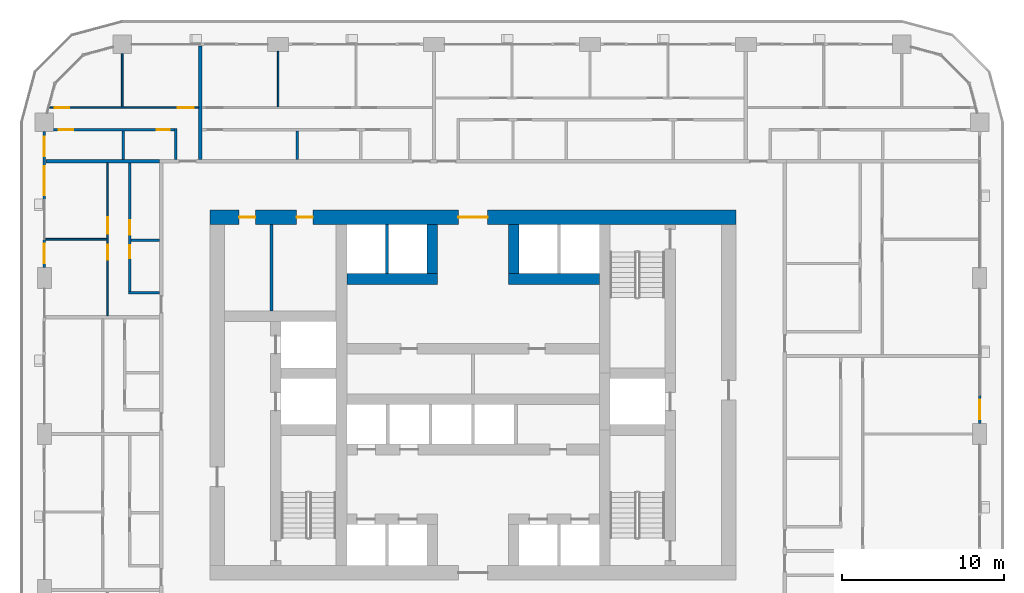
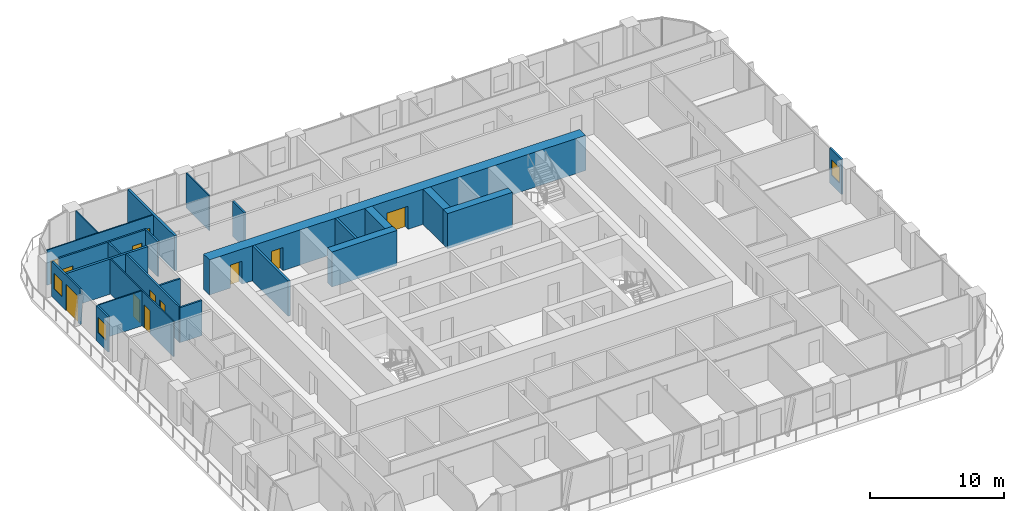
# One storey, part 13 of 22: 24 walls, 12 doors, 3 windows, 15 openings.
"""IFC4 building model written with IfcOpenShell, lengths in metres."""

import ifcopenshell
import ifcopenshell.guid

model = None  # the IFC model being written
_history = None  # IfcOwnerHistory: only IFC2X3 demands one
_inside = {}  # id of a spatial element -> (the spatial element, [elements in it])
_under = {}  # id of a project, library or spatial element -> (it, [spatial elements below it])
_declared = {}  # id of a project -> (the project, [libraries it declares])
_typed = {}  # id of a type object -> (the type object, [elements of that type])
_made_of = {}  # id of a material, layer set ... -> (it, [elements and type objects made of it])


def new_model(schema):
    """Start an empty IFC model of exactly this schema.

    Asked for "IFC4X3", IfcOpenShell would pick the latest addendum, in which some entities
    have other attributes; the version numbers below select the first issue.
    IFC2X3 requires an IfcOwnerHistory on every rooted entity: one is made here for all.
    """
    global model, _history
    if schema == "IFC4X3":
        model = ifcopenshell.file(schema_version=(4, 3, 0, 0))
    else:
        model = ifcopenshell.file(schema=schema)
    _inside.clear()
    _under.clear()
    _declared.clear()
    _typed.clear()
    _made_of.clear()
    _history = None
    if model.schema == "IFC2X3":
        org = make("IfcOrganization", Name="unknown")
        user = make(
            "IfcPersonAndOrganization",
            ThePerson=make("IfcPerson", FamilyName="unknown"),
            TheOrganization=org,
        )
        app = make(
            "IfcApplication",
            ApplicationDeveloper=org,
            Version="unknown",
            ApplicationFullName="unknown",
            ApplicationIdentifier="unknown",
        )
        _history = make(
            "IfcOwnerHistory",
            OwningUser=user,
            OwningApplication=app,
            ChangeAction="ADDED",
            CreationDate=0,
        )
    return model


def make(cls, **values):
    """One entity of the class cls with the attributes given. An attribute that is None is left unset."""
    return model.create_entity(
        cls, **{name: value for name, value in values.items() if value is not None}
    )


def rooted(cls, **values):
    """An entity with a GlobalId (a new one), such as an element, a storey or a relation."""
    return make(cls, GlobalId=ifcopenshell.guid.new(), OwnerHistory=_history, **values)


def si_unit(unit_type, name, prefix=None):
    """IfcSIUnit, for example si_unit("LENGTHUNIT", "METRE", prefix="MILLI")."""
    return make("IfcSIUnit", UnitType=unit_type, Prefix=prefix, Name=name)


def assignment(units):
    """IfcUnitAssignment: the units of a project."""
    return None if units is None else make("IfcUnitAssignment", Units=units)


def point(xyz):
    """IfcCartesianPoint."""
    return None if xyz is None else make("IfcCartesianPoint", Coordinates=xyz)


def direction(xyz):
    """IfcDirection."""
    return None if xyz is None else make("IfcDirection", DirectionRatios=xyz)


def frame(location, z_axis=None, x_axis=None):
    """IfcAxis2Placement3D, a coordinate frame: its origin and axes. An axis left out is left unset."""
    return make(
        "IfcAxis2Placement3D",
        Location=point(location),
        Axis=direction(z_axis),
        RefDirection=direction(x_axis),
    )


def frame_2d(location, x_axis=None):
    """IfcAxis2Placement2D, a coordinate frame in the plane: its origin and x axis."""
    return make(
        "IfcAxis2Placement2D", Location=point(location), RefDirection=direction(x_axis)
    )


def origin():
    """The frame at (0, 0, 0) with its axes left unset."""
    return frame((0.0, 0.0, 0.0))


def place(relative_to, where):
    """IfcLocalPlacement: puts the frame where relative to a parent placement (None: the world)."""
    return make(
        "IfcLocalPlacement", PlacementRelTo=relative_to, RelativePlacement=where
    )


def context(
    kind, dimensions, precision=None, world=None, true_north=None, identifier=None
):
    """IfcGeometricRepresentationContext, for example the 3D "Model" context."""
    return make(
        "IfcGeometricRepresentationContext",
        ContextIdentifier=identifier,
        ContextType=kind,
        CoordinateSpaceDimension=dimensions,
        Precision=precision,
        WorldCoordinateSystem=world,
        TrueNorth=true_north,
    )


def subcontext(parent, identifier, kind, view, scale=None):
    """IfcGeometricRepresentationSubContext, for example "Body" below "Model"."""
    return make(
        "IfcGeometricRepresentationSubContext",
        ContextIdentifier=identifier,
        ContextType=kind,
        ParentContext=parent,
        TargetScale=scale,
        TargetView=view,
    )


def project(units=None, contexts=None):
    """IfcProject with its units and contexts."""
    return rooted(
        "IfcProject",
        Name="project",
        RepresentationContexts=contexts,
        UnitsInContext=assignment(units),
    )


def spatial(cls, under=None, at=None, **own):
    """A site, building, storey or space (cls), placed at a placement, below another one or the project."""
    s = rooted(cls, ObjectPlacement=at, **own)
    if under is not None:
        _under.setdefault(under.id(), (under, []))[1].append(s)
    return s


def profile(cls, at=None, kind="AREA", **sizes):
    """A parametric profile (cls). Its sizes go by their IFC names, for example OverallWidth=200.0."""
    return make(cls, ProfileType=kind, Position=at, **sizes)


def rectangle(**sizes):
    """IfcRectangleProfileDef."""
    return profile("IfcRectangleProfileDef", **sizes)


def extrude(swept, where, along, depth):
    """IfcExtrudedAreaSolid: the profile swept, set in the frame where, extruded along a direction by depth."""
    return make(
        "IfcExtrudedAreaSolid",
        SweptArea=swept,
        Position=where,
        ExtrudedDirection=direction(along),
        Depth=depth,
    )


def shape(context_of_items, identifier, shape_type, items):
    """IfcShapeRepresentation: the items that make up one representation, for example the "Body"."""
    return make(
        "IfcShapeRepresentation",
        ContextOfItems=context_of_items,
        RepresentationIdentifier=identifier,
        RepresentationType=shape_type,
        Items=items,
    )


def material(Name=None, Category=None):
    """IfcMaterial."""
    return make("IfcMaterial", Name=Name, Category=Category)


def layer(
    of_material, thickness, ventilated=None, Name=None, Category=None, Priority=None
):
    """IfcMaterialLayer: one layer of a wall or slab, of a material (None: an air gap)."""
    return make(
        "IfcMaterialLayer",
        Material=of_material,
        LayerThickness=thickness,
        IsVentilated=ventilated,
        Name=Name,
        Category=Category,
        Priority=Priority,
    )


def layer_set(layers, Name=None):
    """IfcMaterialLayerSet."""
    return make("IfcMaterialLayerSet", MaterialLayers=layers, LayerSetName=Name)


def made_of(thing, what):
    """Note that an element or type object is made of a material, layer set ...; save() writes the relation."""
    if what is not None:
        _made_of.setdefault(what.id(), (what, []))[1].append(thing)
    return thing


def type_object(cls, material=None, **own):
    """A type object (cls), such as IfcWallType, which elements share."""
    return made_of(rooted(cls, **own), material)


def element(
    cls,
    number,
    at=None,
    inside=None,
    cuts=None,
    type_object=None,
    material=None,
    context=None,
    identifier="Body",
    shape_type=None,
    held_by="IfcProductDefinitionShape",
    body=None,
    shapes=None,
    **own,
):
    """One element of the class cls, such as IfcWall. Its Tag is "e" and its number.

    at: its placement. inside: the storey or other place that contains it. cuts: it is an
    opening in that element (IfcRelVoidsElement). A single representation is given by context,
    identifier, shape_type and body (its items); several are given by shapes. held_by: the class
    of the entity that holds the representations. save() writes the other relations.
    """
    e = rooted(cls, Tag="e%d" % number, ObjectPlacement=at, **own)
    if body is not None:
        shapes = [shape(context, identifier, shape_type, body)]
    if shapes is not None:
        e.Representation = make(held_by, Representations=shapes)
    if inside is not None:
        _inside.setdefault(inside.id(), (inside, []))[1].append(e)
    if cuts is not None:
        rooted(
            "IfcRelVoidsElement", RelatingBuildingElement=cuts, RelatedOpeningElement=e
        )
    if type_object is not None:
        _typed.setdefault(type_object.id(), (type_object, []))[1].append(e)
    return made_of(e, material)


def fill(opening, filler):
    """IfcRelFillsElement: the door or window that sits in an opening."""
    return rooted(
        "IfcRelFillsElement",
        RelatingOpeningElement=opening,
        RelatedBuildingElement=filler,
    )


def aggregate(whole, parts):
    """IfcRelAggregates: a whole, such as a stair, and the parts it consists of."""
    return rooted("IfcRelAggregates", RelatingObject=whole, RelatedObjects=parts)


def save(model, path):
    """Write the relations noted so far, then the file.

    IfcRelAggregates (storeys below a building ...), IfcRelContainedInSpatialStructure (elements
    in a storey), IfcRelDefinesByType, IfcRelAssociatesMaterial and IfcRelDeclares: one each for
    every whole, place, type object, material and project.
    """
    for whole, parts in _under.values():
        aggregate(whole, parts)
    for where, things in _inside.values():
        rooted(
            "IfcRelContainedInSpatialStructure",
            RelatedElements=things,
            RelatingStructure=where,
        )
    for kind, things in _typed.values():
        rooted("IfcRelDefinesByType", RelatedObjects=things, RelatingType=kind)
    for what, things in _made_of.values():
        rooted("IfcRelAssociatesMaterial", RelatedObjects=things, RelatingMaterial=what)
    for by, libraries in _declared.values():
        rooted("IfcRelDeclares", RelatingContext=by, RelatedDefinitions=libraries)
    model.write(path)


model = new_model("IFC4")

# Units and contexts
model_context = context("Model", 3, precision=1e-05, world=origin(), true_north=direction((0.0, 1.0)))
body_context = subcontext(model_context, "Body", "Model", "MODEL_VIEW")
ifc_project = project(units=[si_unit("LENGTHUNIT", "METRE"), si_unit("AREAUNIT", "SQUARE_METRE"), si_unit("VOLUMEUNIT", "CUBIC_METRE"), si_unit("PLANEANGLEUNIT", "RADIAN"), si_unit("MASSUNIT", "GRAM", prefix="KILO")], contexts=[model_context])

# Site, building, storey
site_placement = place(None, origin())
site = spatial("IfcSite", under=ifc_project, at=site_placement, CompositionType="ELEMENT")
building_placement = place(site_placement, origin())
building = spatial("IfcBuilding", under=site, at=building_placement, Name="Madar Terraces", CompositionType="ELEMENT")
storey_placement = place(building_placement, frame((0.0, 0.0, 62.800048828125)))
storey = spatial("IfcBuildingStorey", under=building, at=storey_placement, Name="L15", CompositionType="ELEMENT", Elevation=62.800048828125)

# Walls
ifc_material_1 = material(Name="Concrete C80/95", Category="concrete")
ifc_layer_1 = layer(ifc_material_1, 0.64990234375)
ifc_layer_set_1 = layer_set([ifc_layer_1], Name="Concrete C80/95 (CIW2 RC wall 650)")
wall_type_1 = type_object("IfcWallType", Name="CIW2 RC wall 650", PredefinedType="SHEAR", material=ifc_layer_set_1)
wall_1_placement = place(storey_placement, frame((23.425048828125, 33.550048828125, 0.0), z_axis=(0.0, 0.0, 1.0), x_axis=(1.0, 0.0, 0.0)))
element("IfcWall", 1, at=wall_1_placement, inside=storey, type_object=wall_type_1, Name="CORE SHAFT WALL", PredefinedType="SHEAR", context=body_context, shape_type="SweptSolid", body=[
    extrude(rectangle(XDim=5.599853515625, YDim=0.64990234375, at=frame_2d((2.7998046875, 0.0))), origin(), (0.0, 0.0, 1.0), 3.199951171875),
])
wall_2_placement = place(storey_placement, frame((33.375, 33.550048828125, 0.0), z_axis=(0.0, 0.0, 1.0), x_axis=(1.0, 0.0, 0.0)))
element("IfcWall", 2, at=wall_2_placement, inside=storey, type_object=wall_type_1, Name="CORE SHAFT WALL", PredefinedType="SHEAR", context=body_context, shape_type="SweptSolid", body=[
    extrude(rectangle(XDim=5.60009765625, YDim=0.64990234375, at=frame_2d((2.800048828125, 0.0))), origin(), (0.0, 0.0, 1.0), 3.199951171875),
])
for number, where, z_axis, x_axis, name in (
    (3, (28.699951171875, 33.875, 0.0), (0.0, 0.0, 1.0), (0.0, 1.0, 0.0), "CORE SHAFT WALL"),
    (4, (33.699951171875, 33.875, 0.0), (0.0, 0.0, 1.0), (0.0, 1.0, 0.0), "CORE SHAFT WALL"),
):
    element("IfcWall", number, at=place(storey_placement, frame(where, z_axis=z_axis, x_axis=x_axis)), inside=storey, type_object=wall_type_1, Name=name, PredefinedType="SHEAR", context=body_context, shape_type="SweptSolid", body=[
        extrude(rectangle(XDim=3.02490234375, YDim=0.64990234375, at=frame_2d((1.512451171875, 0.0))), origin(), (0.0, 0.0, 1.0), 3.199951171875),
    ])

# Wall, openings, doors
ifc_material_2 = material(Name="Concrete C80/95", Category="concrete")
ifc_layer_2 = layer(ifc_material_2, 0.89990234375)
ifc_layer_set_2 = layer_set([ifc_layer_2], Name="Concrete C80/95 (CRW2 RC wall 900)")
wall_type_2 = type_object("IfcWallType", Name="CRW2 RC wall 900", PredefinedType="SHEAR", material=ifc_layer_set_2)
wall_3_placement = place(storey_placement, frame((15.0, 37.35009765625, 0.0), z_axis=(0.0, 0.0, 1.0), x_axis=(1.0, 0.0, 0.0)))
wall_3 = element("IfcWall", 5, at=wall_3_placement, inside=storey, type_object=wall_type_2, Name="CORE OUTER WALL", PredefinedType="SHEAR", context=body_context, shape_type="SweptSolid", body=[
    extrude(rectangle(XDim=32.39990234375, YDim=0.89990234375, at=frame_2d((16.199951171875, 0.0))), origin(), (0.0, 0.0, 1.0), 3.199951171875),
])
opening_1_placement = place(wall_3_placement, frame((15.300048828125, 0.0, 0.0)))
opening_1 = element("IfcOpeningElement", 6, at=opening_1_placement, cuts=wall_3, Name="Opening KD1", PredefinedType="OPENING", context=body_context, shape_type="SweptSolid", body=[
    extrude(rectangle(XDim=1.800048828125, YDim=2.10009765625, at=frame_2d((0.89990234375, 1.050048828125))), frame((0.0, 0.4599609375, 0.0), z_axis=(0.0, -1.0, 0.0), x_axis=(1.0, 0.0, 0.0)), (0.0, 0.0, 1.0), 0.919921875),
])
opening_2_placement = place(wall_3_placement, frame((1.793701171875, 0.0, 0.0)))
opening_2 = element("IfcOpeningElement", 7, at=opening_2_placement, cuts=wall_3, Name="Opening KD2", PredefinedType="OPENING", context=body_context, shape_type="SweptSolid", body=[
    extrude(rectangle(XDim=1.0, YDim=2.10009765625, at=frame_2d((0.5, 1.050048828125))), frame((0.0, 0.4599609375, 0.0), z_axis=(0.0, -1.0, 0.0), x_axis=(1.0, 0.0, 0.0)), (0.0, 0.0, 1.0), 0.919921875),
])
opening_3_placement = place(wall_3_placement, frame((5.331298828125, 0.0, 0.0)))
opening_3 = element("IfcOpeningElement", 8, at=opening_3_placement, cuts=wall_3, Name="Opening KD2", PredefinedType="OPENING", context=body_context, shape_type="SweptSolid", body=[
    extrude(rectangle(XDim=1.0, YDim=2.10009765625, at=frame_2d((0.5, 1.050048828125))), frame((0.0, 0.4599609375, 0.0), z_axis=(0.0, -1.0, 0.0), x_axis=(1.0, 0.0, 0.0)), (0.0, 0.0, 1.0), 0.919921875),
])
ifc_material_3 = material(Name="Steel door leaf", Category="steel")
door_type_1 = type_object("IfcDoorType", Name="Lobby door pair 1800 x 2100", OperationType="DOUBLE_DOOR_SINGLE_SWING", PredefinedType="DOOR", material=ifc_material_3)
door_1_placement = place(opening_1_placement, origin())
door_1 = element("IfcDoor", 9, at=door_1_placement, inside=storey, type_object=door_type_1, Name="LIFT LOBBY DOOR", OperationType="DOUBLE_DOOR_SINGLE_SWING", OverallHeight=2.10009765625, OverallWidth=1.800048828125, PredefinedType="DOOR", context=body_context, shape_type="SweptSolid", body=[
    extrude(rectangle(XDim=1.800048828125, YDim=2.10009765625, at=frame_2d((0.89990234375, 1.050048828125))), frame((0.0, 0.02490234375, 0.0), z_axis=(0.0, -1.0, 0.0), x_axis=(1.0, 0.0, 0.0)), (0.0, 0.0, 1.0), 0.050048828125),
])
fill(opening_1, door_1)
ifc_material_4 = material(Name="Steel door leaf", Category="steel")
door_type_2 = type_object("IfcDoorType", Name="Service room door 1000 x 2100", OperationType="NOTDEFINED", PredefinedType="DOOR", material=ifc_material_4)
door_2_placement = place(opening_2_placement, origin())
door_2 = element("IfcDoor", 10, at=door_2_placement, inside=storey, type_object=door_type_2, Name="SERVICE ROOM DOOR", OperationType="SINGLE_SWING_RIGHT", OverallHeight=2.10009765625, OverallWidth=1.0, PredefinedType="DOOR", context=body_context, shape_type="SweptSolid", body=[
    extrude(rectangle(XDim=1.0, YDim=2.10009765625, at=frame_2d((0.5, 1.050048828125))), frame((0.0, 0.02490234375, 0.0), z_axis=(0.0, -1.0, 0.0), x_axis=(1.0, 0.0, 0.0)), (0.0, 0.0, 1.0), 0.050048828125),
])
fill(opening_2, door_2)
door_3_placement = place(opening_3_placement, origin())
door_3 = element("IfcDoor", 11, at=door_3_placement, inside=storey, type_object=door_type_2, Name="SERVICE ROOM DOOR", OperationType="SINGLE_SWING_LEFT", OverallHeight=2.10009765625, OverallWidth=1.0, PredefinedType="DOOR", context=body_context, shape_type="SweptSolid", body=[
    extrude(rectangle(XDim=1.0, YDim=2.10009765625, at=frame_2d((0.5, 1.050048828125))), frame((0.0, 0.02490234375, 0.0), z_axis=(0.0, -1.0, 0.0), x_axis=(1.0, 0.0, 0.0)), (0.0, 0.0, 1.0), 0.050048828125),
])
fill(opening_3, door_3)

# Walls
ifc_material_5 = material(Name="Masonry blockwork", Category="masonry")
ifc_layer_3 = layer(ifc_material_5, 0.199951171875)
ifc_layer_set_3 = layer_set([ifc_layer_3], Name="Core partition 200 blockwork")
wall_type_3 = type_object("IfcWallType", Name="Core partition 200 blockwork", PredefinedType="PARTITIONING", material=ifc_layer_set_3)
wall_4_placement = place(storey_placement, frame((18.78759765625, 31.574951171875, 0.0), z_axis=(0.0, 0.0, 1.0), x_axis=(0.0, 1.0, 0.0)))
element("IfcWall", 12, at=wall_4_placement, inside=storey, type_object=wall_type_3, Name="SERVICE ROOM PARTITION", PredefinedType="PARTITIONING", context=body_context, shape_type="SweptSolid", body=[
    extrude(rectangle(XDim=5.324951171875, YDim=0.199951171875, at=frame_2d((2.66259765625, 0.0))), origin(), (0.0, 0.0, 1.0), 3.199951171875),
])
ifc_material_6 = material(Name="Concrete C40/50", Category="concrete")
ifc_layer_4 = layer(ifc_material_6, 0.199951171875)
ifc_layer_set_4 = layer_set([ifc_layer_4], Name="Core shaft dividing wall 200 C40/50")
wall_type_4 = type_object("IfcWallType", Name="Core shaft dividing wall 200 C40/50", PredefinedType="SOLIDWALL", material=ifc_layer_set_4)
wall_5_placement = place(storey_placement, frame((25.89990234375, 33.875, 0.0), z_axis=(0.0, 0.0, 1.0), x_axis=(0.0, 1.0, 0.0)))
element("IfcWall", 13, at=wall_5_placement, inside=storey, type_object=wall_type_4, Name="SHAFT DIVIDING WALL", PredefinedType="SOLIDWALL", context=body_context, shape_type="SweptSolid", body=[
    extrude(rectangle(XDim=3.02490234375, YDim=0.199951171875, at=frame_2d((1.512451171875, 0.0))), origin(), (0.0, 0.0, 1.0), 3.199951171875),
])

# Wall, opening, window
ifc_material_7 = material(Name="Aluminium composite panel, black, over insulated backing", Category="aluminium")
ifc_layer_5 = layer(ifc_material_7, 0.14990234375)
ifc_layer_set_5 = layer_set([ifc_layer_5], Name="Facade bay panel 150")
wall_type_5 = type_object("IfcWallType", Name="Facade bay panel 150", PredefinedType="SOLIDWALL", material=ifc_layer_set_5)
wall_6_placement = place(storey_placement, frame((62.39990234375, 24.64990234375, 0.0), z_axis=(0.0, 0.0, 1.0), x_axis=(0.0, 1.0, 0.0)))
wall_6 = element("IfcWall", 14, at=wall_6_placement, inside=storey, type_object=wall_type_5, Name="Facade bay panel", PredefinedType="SOLIDWALL", context=body_context, shape_type="SweptSolid", body=[
    extrude(rectangle(XDim=1.75, YDim=0.14990234375, at=frame_2d((0.875, 0.0))), origin(), (0.0, 0.0, 1.0), 3.199951171875),
])
opening_4_placement = place(wall_6_placement, frame((0.27490234375, 0.0, 0.89990234375)))
opening_4 = element("IfcOpeningElement", 15, at=opening_4_placement, cuts=wall_6, Name="Opening W1", PredefinedType="OPENING", context=body_context, shape_type="SweptSolid", body=[
    extrude(rectangle(XDim=1.199951171875, YDim=1.39990234375, at=frame_2d((0.60009765625, 0.699951171875))), frame((0.0, 0.0849609375, 0.0), z_axis=(0.0, -1.0, 0.0), x_axis=(1.0, 0.0, 0.0)), (0.0, 0.0, 1.0), 0.169921875),
])
ifc_material_8 = material(Name="Glass, clear, with black aluminium frame", Category="aluminium")
window_type = type_object("IfcWindowType", Name="Vent window 1200 x 1400", PartitioningType="SINGLE_PANEL", PredefinedType="WINDOW", material=ifc_material_8)
window_1_placement = place(opening_4_placement, origin())
window_1 = element("IfcWindow", 16, at=window_1_placement, inside=storey, type_object=window_type, Name="Operable vent window", OverallHeight=1.39990234375, OverallWidth=1.199951171875, PartitioningType="SINGLE_PANEL", PredefinedType="WINDOW", context=body_context, shape_type="SweptSolid", body=[
    extrude(rectangle(XDim=1.199951171875, YDim=1.39990234375, at=frame_2d((0.60009765625, 0.699951171875))), frame((0.0, 0.030029296875, 0.0), z_axis=(0.0, -1.0, 0.0), x_axis=(1.0, 0.0, 0.0)), (0.0, 0.0, 1.0), 0.06005859375),
])
fill(opening_4, window_1)

# Wall, openings, door, window
wall_7_placement = place(storey_placement, frame((4.800048828125, 42.625, 0.0), z_axis=(0.0, 0.0, 1.0), x_axis=(0.0, -1.0, 0.0)))
wall_7 = element("IfcWall", 17, at=wall_7_placement, inside=storey, type_object=wall_type_5, Name="Facade bay panel", PredefinedType="SOLIDWALL", context=body_context, shape_type="SweptSolid", body=[
    extrude(rectangle(XDim=4.22509765625, YDim=0.14990234375, at=frame_2d((2.112548828125, 0.0))), origin(), (0.0, 0.0, 1.0), 3.199951171875),
])
opening_5_placement = place(wall_7_placement, frame((0.3125, 0.0, 0.89990234375)))
opening_5 = element("IfcOpeningElement", 18, at=opening_5_placement, cuts=wall_7, Name="Opening W1", PredefinedType="OPENING", context=body_context, shape_type="SweptSolid", body=[
    extrude(rectangle(XDim=1.199951171875, YDim=1.39990234375, at=frame_2d((0.60009765625, 0.699951171875))), frame((0.0, 0.0849609375, 0.0), z_axis=(0.0, -1.0, 0.0), x_axis=(1.0, 0.0, 0.0)), (0.0, 0.0, 1.0), 0.169921875),
])
opening_6_placement = place(wall_7_placement, frame((2.125, 0.0, 0.0)))
opening_6 = element("IfcOpeningElement", 19, at=opening_6_placement, cuts=wall_7, Name="Opening ED1", PredefinedType="OPENING", context=body_context, shape_type="SweptSolid", body=[
    extrude(rectangle(XDim=1.800048828125, YDim=2.39990234375, at=frame_2d((0.89990234375, 1.199951171875))), frame((0.0, 0.0849609375, 0.0), z_axis=(0.0, -1.0, 0.0), x_axis=(1.0, 0.0, 0.0)), (0.0, 0.0, 1.0), 0.169921875),
])
ifc_material_9 = material(Name="Glass, clear, with black aluminium frame", Category="aluminium")
door_type_3 = type_object("IfcDoorType", Name="Balcony and terrace sliding door 1800 x 2400", OperationType="SLIDING_TO_LEFT", PredefinedType="DOOR", material=ifc_material_9)
door_4_placement = place(opening_6_placement, origin())
door_4 = element("IfcDoor", 20, at=door_4_placement, inside=storey, type_object=door_type_3, Name="Balcony door", OperationType="SLIDING_TO_RIGHT", OverallHeight=2.39990234375, OverallWidth=1.800048828125, PredefinedType="DOOR", context=body_context, shape_type="SweptSolid", body=[
    extrude(rectangle(XDim=1.800048828125, YDim=2.39990234375, at=frame_2d((0.89990234375, 1.199951171875))), frame((0.0, 0.02490234375, 0.0), z_axis=(0.0, -1.0, 0.0), x_axis=(1.0, 0.0, 0.0)), (0.0, 0.0, 1.0), 0.050048828125),
])
fill(opening_6, door_4)
window_2_placement = place(opening_5_placement, origin())
window_2 = element("IfcWindow", 21, at=window_2_placement, inside=storey, type_object=window_type, Name="Operable vent window", OverallHeight=1.39990234375, OverallWidth=1.199951171875, PartitioningType="SINGLE_PANEL", PredefinedType="WINDOW", context=body_context, shape_type="SweptSolid", body=[
    extrude(rectangle(XDim=1.199951171875, YDim=1.39990234375, at=frame_2d((0.60009765625, 0.699951171875))), frame((0.0, 0.030029296875, 0.0), z_axis=(0.0, -1.0, 0.0), x_axis=(1.0, 0.0, 0.0)), (0.0, 0.0, 1.0), 0.06005859375),
])
fill(opening_5, window_2)

# Wall, opening, window
wall_8_placement = place(storey_placement, frame((4.800048828125, 36.0, 0.0), z_axis=(0.0, 0.0, 1.0), x_axis=(0.0, -1.0, 0.0)))
wall_8 = element("IfcWall", 22, at=wall_8_placement, inside=storey, type_object=wall_type_5, Name="Facade bay panel", PredefinedType="SOLIDWALL", context=body_context, shape_type="SweptSolid", body=[
    extrude(rectangle(XDim=1.75, YDim=0.14990234375, at=frame_2d((0.875, 0.0))), origin(), (0.0, 0.0, 1.0), 3.199951171875),
])
opening_7_placement = place(wall_8_placement, frame((0.27490234375, 0.0, 0.89990234375)))
opening_7 = element("IfcOpeningElement", 23, at=opening_7_placement, cuts=wall_8, Name="Opening W1", PredefinedType="OPENING", context=body_context, shape_type="SweptSolid", body=[
    extrude(rectangle(XDim=1.199951171875, YDim=1.39990234375, at=frame_2d((0.60009765625, 0.699951171875))), frame((0.0, 0.0849609375, 0.0), z_axis=(0.0, -1.0, 0.0), x_axis=(1.0, 0.0, 0.0)), (0.0, 0.0, 1.0), 0.169921875),
])
window_3_placement = place(opening_7_placement, origin())
window_3 = element("IfcWindow", 24, at=window_3_placement, inside=storey, type_object=window_type, Name="Operable vent window", OverallHeight=1.39990234375, OverallWidth=1.199951171875, PartitioningType="SINGLE_PANEL", PredefinedType="WINDOW", context=body_context, shape_type="SweptSolid", body=[
    extrude(rectangle(XDim=1.199951171875, YDim=1.39990234375, at=frame_2d((0.60009765625, 0.699951171875))), frame((0.0, 0.030029296875, 0.0), z_axis=(0.0, -1.0, 0.0), x_axis=(1.0, 0.0, 0.0)), (0.0, 0.0, 1.0), 0.06005859375),
])
fill(opening_7, window_3)

# Walls
ifc_material_10 = material(Name="Gypsum board on steel studs", Category="steel")
ifc_layer_6 = layer(ifc_material_10, 0.10009765625)
ifc_layer_set_6 = layer_set([ifc_layer_6], Name="Flat partition 100")
wall_type_6 = type_object("IfcWallType", Name="Flat partition 100", PredefinedType="PARTITIONING", material=ifc_layer_set_6)
wall_9_placement = place(storey_placement, frame((19.199951171875, 44.14990234375, 0.0), z_axis=(0.0, 0.0, 1.0), x_axis=(0.0, 1.0, 0.0)))
element("IfcWall", 25, at=wall_9_placement, inside=storey, type_object=wall_type_6, Name="Flat partition 100", PredefinedType="PARTITIONING", context=body_context, shape_type="SweptSolid", body=[
    extrude(rectangle(XDim=3.425048828125, YDim=0.10009765625, at=frame_2d((1.71240234375, 0.0))), origin(), (0.0, 0.0, 1.0), 3.199951171875),
])
wall_10_placement = place(storey_placement, frame((9.60009765625, 44.14990234375, 0.0), z_axis=(0.0, 0.0, 1.0), x_axis=(0.0, 1.0, 0.0)))
element("IfcWall", 26, at=wall_10_placement, inside=storey, type_object=wall_type_6, Name="Flat partition 100", PredefinedType="PARTITIONING", context=body_context, shape_type="SweptSolid", body=[
    extrude(rectangle(XDim=3.275146484375, YDim=0.10009765625, at=frame_2d((1.6376953125, 0.0))), origin(), (0.0, 0.0, 1.0), 3.199951171875),
])

# Wall, openings, doors
wall_11_placement = place(storey_placement, frame((5.14111328125, 44.10009765625, 0.0), z_axis=(0.0, 0.0, 1.0), x_axis=(1.0, 0.0, 0.0)))
wall_11 = element("IfcWall", 27, at=wall_11_placement, inside=storey, type_object=wall_type_6, Name="Flat partition 100", PredefinedType="PARTITIONING", context=body_context, shape_type="SweptSolid", body=[
    extrude(rectangle(XDim=9.158935546875, YDim=0.10009765625, at=frame_2d((4.57958984375, 0.0))), origin(), (0.0, 0.0, 1.0), 3.199951171875),
])
opening_8_placement = place(wall_11_placement, frame((7.85888671875, 0.0, 0.0)))
opening_8 = element("IfcOpeningElement", 28, at=opening_8_placement, cuts=wall_11, Name="Opening D3", PredefinedType="OPENING", context=body_context, shape_type="SweptSolid", body=[
    extrude(rectangle(XDim=1.0, YDim=2.10009765625, at=frame_2d((0.5, 1.050048828125))), frame((0.0, 0.06005859375, 0.0), z_axis=(0.0, -1.0, 0.0), x_axis=(1.0, 0.0, 0.0)), (0.0, 0.0, 1.0), 0.1201171875),
])
opening_9_placement = place(wall_11_placement, frame((0.300048828125, 0.0, 0.0)))
opening_9 = element("IfcOpeningElement", 29, at=opening_9_placement, cuts=wall_11, Name="Opening D2", PredefinedType="OPENING", context=body_context, shape_type="SweptSolid", body=[
    extrude(rectangle(XDim=0.89990234375, YDim=2.10009765625, at=frame_2d((0.449951171875, 1.050048828125))), frame((0.0, 0.06005859375, 0.0), z_axis=(0.0, -1.0, 0.0), x_axis=(1.0, 0.0, 0.0)), (0.0, 0.0, 1.0), 0.1201171875),
])
ifc_material_11 = material(Name="Timber door leaf", Category="wood")
door_type_4 = type_object("IfcDoorType", Name="Flat living room door 1000", OperationType="NOTDEFINED", PredefinedType="DOOR", material=ifc_material_11)
door_5_placement = place(opening_8_placement, origin())
door_5 = element("IfcDoor", 30, at=door_5_placement, inside=storey, type_object=door_type_4, Name="Flat living room door 1000", OperationType="SINGLE_SWING_RIGHT", OverallHeight=2.10009765625, OverallWidth=1.0, PredefinedType="DOOR", context=body_context, shape_type="SweptSolid", body=[
    extrude(rectangle(XDim=1.0, YDim=2.10009765625, at=frame_2d((0.5, 1.050048828125))), frame((0.0, 0.02490234375, 0.0), z_axis=(0.0, -1.0, 0.0), x_axis=(1.0, 0.0, 0.0)), (0.0, 0.0, 1.0), 0.050048828125),
])
fill(opening_8, door_5)
ifc_material_12 = material(Name="Timber door leaf", Category="wood")
door_type_5 = type_object("IfcDoorType", Name="Flat room door 900", OperationType="NOTDEFINED", PredefinedType="DOOR", material=ifc_material_12)
door_6_placement = place(opening_9_placement, origin())
door_6 = element("IfcDoor", 31, at=door_6_placement, inside=storey, type_object=door_type_5, Name="Flat room door 900", OperationType="SINGLE_SWING_LEFT", OverallHeight=2.10009765625, OverallWidth=0.89990234375, PredefinedType="DOOR", context=body_context, shape_type="SweptSolid", body=[
    extrude(rectangle(XDim=0.89990234375, YDim=2.10009765625, at=frame_2d((0.449951171875, 1.050048828125))), frame((0.0, 0.02490234375, 0.0), z_axis=(0.0, -1.0, 0.0), x_axis=(1.0, 0.0, 0.0)), (0.0, 0.0, 1.0), 0.050048828125),
])
fill(opening_9, door_6)

# Wall
wall_12_placement = place(storey_placement, frame((8.64990234375, 36.0, 0.0), z_axis=(0.0, 0.0, 1.0), x_axis=(-1.0, 0.0, 0.0)))
element("IfcWall", 32, at=wall_12_placement, inside=storey, type_object=wall_type_6, Name="Flat partition 100", PredefinedType="PARTITIONING", context=body_context, shape_type="SweptSolid", body=[
    extrude(rectangle(XDim=3.75, YDim=0.10009765625, at=frame_2d((1.875, 0.0))), origin(), (0.0, 0.0, 1.0), 3.199951171875),
])

# Wall, openings, doors
wall_13_placement = place(storey_placement, frame((8.699951171875, 31.300048828125, 0.0), z_axis=(0.0, 0.0, 1.0), x_axis=(0.0, 1.0, 0.0)))
wall_13 = element("IfcWall", 33, at=wall_13_placement, inside=storey, type_object=wall_type_6, Name="Flat partition 100", PredefinedType="PARTITIONING", context=body_context, shape_type="SweptSolid", body=[
    extrude(rectangle(XDim=9.39990234375, YDim=0.10009765625, at=frame_2d((4.699951171875, 0.0))), origin(), (0.0, 0.0, 1.0), 3.199951171875),
])
opening_10_placement = place(wall_13_placement, frame((3.449951171875, 0.0, 0.0)))
opening_10 = element("IfcOpeningElement", 34, at=opening_10_placement, cuts=wall_13, Name="Opening D2", PredefinedType="OPENING", context=body_context, shape_type="SweptSolid", body=[
    extrude(rectangle(XDim=0.89990234375, YDim=2.10009765625, at=frame_2d((0.449951171875, 1.050048828125))), frame((0.0, 0.06005859375, 0.0), z_axis=(0.0, -1.0, 0.0), x_axis=(1.0, 0.0, 0.0)), (0.0, 0.0, 1.0), 0.1201171875),
])
opening_11_placement = place(wall_13_placement, frame((5.050048828125, 0.0, 0.0)))
opening_11 = element("IfcOpeningElement", 35, at=opening_11_placement, cuts=wall_13, Name="Opening D3", PredefinedType="OPENING", context=body_context, shape_type="SweptSolid", body=[
    extrude(rectangle(XDim=1.0, YDim=2.10009765625, at=frame_2d((0.5, 1.050048828125))), frame((0.0, 0.06005859375, 0.0), z_axis=(0.0, -1.0, 0.0), x_axis=(1.0, 0.0, 0.0)), (0.0, 0.0, 1.0), 0.1201171875),
])
door_7_placement = place(opening_11_placement, origin())
door_7 = element("IfcDoor", 36, at=door_7_placement, inside=storey, type_object=door_type_4, Name="Flat living room door 1000", OperationType="SINGLE_SWING_LEFT", OverallHeight=2.10009765625, OverallWidth=1.0, PredefinedType="DOOR", context=body_context, shape_type="SweptSolid", body=[
    extrude(rectangle(XDim=1.0, YDim=2.10009765625, at=frame_2d((0.5, 1.050048828125))), frame((0.0, 0.02490234375, 0.0), z_axis=(0.0, -1.0, 0.0), x_axis=(1.0, 0.0, 0.0)), (0.0, 0.0, 1.0), 0.050048828125),
])
fill(opening_11, door_7)
door_8_placement = place(opening_10_placement, origin())
door_8 = element("IfcDoor", 37, at=door_8_placement, inside=storey, type_object=door_type_5, Name="Flat room door 900", OperationType="SINGLE_SWING_RIGHT", OverallHeight=2.10009765625, OverallWidth=0.89990234375, PredefinedType="DOOR", context=body_context, shape_type="SweptSolid", body=[
    extrude(rectangle(XDim=0.89990234375, YDim=2.10009765625, at=frame_2d((0.449951171875, 1.050048828125))), frame((0.0, 0.02490234375, 0.0), z_axis=(0.0, -1.0, 0.0), x_axis=(1.0, 0.0, 0.0)), (0.0, 0.0, 1.0), 0.050048828125),
])
fill(opening_10, door_8)

# Walls
ifc_material_13 = material(Name="Lightweight blockwork", Category="masonry")
ifc_layer_7 = layer(ifc_material_13, 0.199951171875)
ifc_layer_set_7 = layer_set([ifc_layer_7], Name="Flat party and entrance wall 200")
wall_type_7 = type_object("IfcWallType", Name="Flat party and entrance wall 200", PredefinedType="PARTITIONING", material=ifc_layer_set_7)
for number, where, z_axis, x_axis, name in (
    (38, (14.39990234375, 47.89990234375, 0.0), (0.0, 0.0, 1.0), (0.0, -1.0, 0.0), "Flat party and entrance wall 200"),
    (39, (4.89990234375, 40.800048828125, 0.0), (0.0, 0.0, 1.0), (1.0, 0.0, 0.0), "Flat party and entrance wall 200"),
):
    element("IfcWall", number, at=place(storey_placement, frame(where, z_axis=z_axis, x_axis=x_axis)), inside=storey, type_object=wall_type_7, Name=name, PredefinedType="PARTITIONING", context=body_context, shape_type="SweptSolid", body=[
        extrude(rectangle(XDim=7.0, YDim=0.199951171875, at=frame_2d((3.5, 0.0))), origin(), (0.0, 0.0, 1.0), 3.199951171875),
    ])
ifc_material_14 = material(Name="Lightweight blockwork", Category="masonry")
ifc_layer_8 = layer(ifc_material_14, 0.14990234375)
ifc_layer_set_8 = layer_set([ifc_layer_8], Name="Flat wet-room partition 150")
wall_type_8 = type_object("IfcWallType", Name="Flat wet-room partition 150", PredefinedType="PARTITIONING", material=ifc_layer_set_8)
for number, where, z_axis, x_axis, name in (
    (40, (20.373046875, 40.89990234375, 0.0), (0.0, 0.0, 1.0), (0.0, 1.0, 0.0), "Flat wet-room partition 150"),
    (41, (9.655029296875, 40.89990234375, 0.0), (0.0, 0.0, 1.0), (0.0, 1.0, 0.0), "Flat wet-room partition 150"),
):
    element("IfcWall", number, at=place(storey_placement, frame(where, z_axis=z_axis, x_axis=x_axis)), inside=storey, type_object=wall_type_8, Name=name, PredefinedType="PARTITIONING", context=body_context, shape_type="SweptSolid", body=[
        extrude(rectangle(XDim=1.775146484375, YDim=0.14990234375, at=frame_2d((0.8876953125, 0.0))), origin(), (0.0, 0.0, 1.0), 3.199951171875),
    ])
wall_14_placement = place(storey_placement, frame((12.89990234375, 40.89990234375, 0.0), z_axis=(0.0, 0.0, 1.0), x_axis=(0.0, 1.0, 0.0)))
element("IfcWall", 42, at=wall_14_placement, inside=storey, type_object=wall_type_8, Name="Flat wet-room partition 150", PredefinedType="PARTITIONING", context=body_context, shape_type="SweptSolid", body=[
    extrude(rectangle(XDim=1.925048828125, YDim=0.14990234375, at=frame_2d((0.96240234375, 0.0))), origin(), (0.0, 0.0, 1.0), 3.199951171875),
])

# Wall, openings, doors
wall_15_placement = place(storey_placement, frame((12.824951171875, 42.75, 0.0), z_axis=(0.0, 0.0, 1.0), x_axis=(-1.0, 0.0, 0.0)))
wall_15 = element("IfcWall", 43, at=wall_15_placement, inside=storey, type_object=wall_type_8, Name="Flat wet-room partition 150", PredefinedType="PARTITIONING", context=body_context, shape_type="SweptSolid", body=[
    extrude(rectangle(XDim=7.449951171875, YDim=0.14990234375, at=frame_2d((3.72509765625, 0.0))), origin(), (0.0, 0.0, 1.0), 3.199951171875),
])
opening_12_placement = place(wall_15_placement, frame((0.300048828125, 0.0, 0.0)))
opening_12 = element("IfcOpeningElement", 44, at=opening_12_placement, cuts=wall_15, Name="Opening D4", PredefinedType="OPENING", context=body_context, shape_type="SweptSolid", body=[
    extrude(rectangle(XDim=0.800048828125, YDim=2.10009765625, at=frame_2d((0.39990234375, 1.050048828125))), frame((0.0, 0.0849609375, 0.0), z_axis=(0.0, -1.0, 0.0), x_axis=(1.0, 0.0, 0.0)), (0.0, 0.0, 1.0), 0.169921875),
])
opening_13_placement = place(wall_15_placement, frame((6.25, 0.0, 0.0)))
opening_13 = element("IfcOpeningElement", 45, at=opening_13_placement, cuts=wall_15, Name="Opening D2", PredefinedType="OPENING", context=body_context, shape_type="SweptSolid", body=[
    extrude(rectangle(XDim=0.89990234375, YDim=2.10009765625, at=frame_2d((0.449951171875, 1.050048828125))), frame((0.0, 0.0849609375, 0.0), z_axis=(0.0, -1.0, 0.0), x_axis=(1.0, 0.0, 0.0)), (0.0, 0.0, 1.0), 0.169921875),
])
ifc_material_15 = material(Name="Timber door leaf", Category="wood")
door_type_6 = type_object("IfcDoorType", Name="Flat bathroom door 800", OperationType="NOTDEFINED", PredefinedType="DOOR", material=ifc_material_15)
door_9_placement = place(opening_12_placement, origin())
door_9 = element("IfcDoor", 46, at=door_9_placement, inside=storey, type_object=door_type_6, Name="Flat bathroom door 800", OperationType="SINGLE_SWING_LEFT", OverallHeight=2.10009765625, OverallWidth=0.800048828125, PredefinedType="DOOR", context=body_context, shape_type="SweptSolid", body=[
    extrude(rectangle(XDim=0.800048828125, YDim=2.10009765625, at=frame_2d((0.39990234375, 1.050048828125))), frame((0.0, 0.02490234375, 0.0), z_axis=(0.0, -1.0, 0.0), x_axis=(1.0, 0.0, 0.0)), (0.0, 0.0, 1.0), 0.050048828125),
])
fill(opening_12, door_9)
door_10_placement = place(opening_13_placement, origin())
door_10 = element("IfcDoor", 47, at=door_10_placement, inside=storey, type_object=door_type_5, Name="Flat room door 900", OperationType="SINGLE_SWING_RIGHT", OverallHeight=2.10009765625, OverallWidth=0.89990234375, PredefinedType="DOOR", context=body_context, shape_type="SweptSolid", body=[
    extrude(rectangle(XDim=0.89990234375, YDim=2.10009765625, at=frame_2d((0.449951171875, 1.050048828125))), frame((0.0, 0.02490234375, 0.0), z_axis=(0.0, -1.0, 0.0), x_axis=(1.0, 0.0, 0.0)), (0.0, 0.0, 1.0), 0.050048828125),
])
fill(opening_13, door_10)

# Walls
wall_16_placement = place(storey_placement, frame((11.89990234375, 35.945068359375, 0.0), z_axis=(0.0, 0.0, 1.0), x_axis=(-1.0, 0.0, 0.0)))
element("IfcWall", 48, at=wall_16_placement, inside=storey, type_object=wall_type_8, Name="Flat wet-room partition 150", PredefinedType="PARTITIONING", context=body_context, shape_type="SweptSolid", body=[
    extrude(rectangle(XDim=1.77490234375, YDim=0.14990234375, at=frame_2d((0.887451171875, 0.0))), origin(), (0.0, 0.0, 1.0), 3.199951171875),
])
wall_17_placement = place(storey_placement, frame((11.89990234375, 32.699951171875, 0.0), z_axis=(0.0, 0.0, 1.0), x_axis=(-1.0, 0.0, 0.0)))
element("IfcWall", 49, at=wall_17_placement, inside=storey, type_object=wall_type_8, Name="Flat wet-room partition 150", PredefinedType="PARTITIONING", context=body_context, shape_type="SweptSolid", body=[
    extrude(rectangle(XDim=1.9248046875, YDim=0.14990234375, at=frame_2d((0.96240234375, 0.0))), origin(), (0.0, 0.0, 1.0), 3.199951171875),
])

# Wall, openings, doors
wall_18_placement = place(storey_placement, frame((10.050048828125, 40.699951171875, 0.0), z_axis=(0.0, 0.0, 1.0), x_axis=(0.0, -1.0, 0.0)))
wall_18 = element("IfcWall", 50, at=wall_18_placement, inside=storey, type_object=wall_type_8, Name="Flat wet-room partition 150", PredefinedType="PARTITIONING", context=body_context, shape_type="SweptSolid", body=[
    extrude(rectangle(XDim=7.925048828125, YDim=0.14990234375, at=frame_2d((3.96240234375, 0.0))), origin(), (0.0, 0.0, 1.0), 3.199951171875),
])
opening_14_placement = place(wall_18_placement, frame((5.080078125, 0.0, 0.0)))
opening_14 = element("IfcOpeningElement", 51, at=opening_14_placement, cuts=wall_18, Name="Opening D4", PredefinedType="OPENING", context=body_context, shape_type="SweptSolid", body=[
    extrude(rectangle(XDim=0.800048828125, YDim=2.10009765625, at=frame_2d((0.39990234375, 1.050048828125))), frame((0.0, 0.0849609375, 0.0), z_axis=(0.0, -1.0, 0.0), x_axis=(1.0, 0.0, 0.0)), (0.0, 0.0, 1.0), 0.169921875),
])
opening_15_placement = place(wall_18_placement, frame((3.530029296875, 0.0, 0.0)))
opening_15 = element("IfcOpeningElement", 52, at=opening_15_placement, cuts=wall_18, Name="Opening D2", PredefinedType="OPENING", context=body_context, shape_type="SweptSolid", body=[
    extrude(rectangle(XDim=0.89990234375, YDim=2.10009765625, at=frame_2d((0.449951171875, 1.050048828125))), frame((0.0, 0.0849609375, 0.0), z_axis=(0.0, -1.0, 0.0), x_axis=(1.0, 0.0, 0.0)), (0.0, 0.0, 1.0), 0.169921875),
])
door_11_placement = place(opening_14_placement, origin())
door_11 = element("IfcDoor", 53, at=door_11_placement, inside=storey, type_object=door_type_6, Name="Flat bathroom door 800", OperationType="SINGLE_SWING_LEFT", OverallHeight=2.10009765625, OverallWidth=0.800048828125, PredefinedType="DOOR", context=body_context, shape_type="SweptSolid", body=[
    extrude(rectangle(XDim=0.800048828125, YDim=2.10009765625, at=frame_2d((0.39990234375, 1.050048828125))), frame((0.0, 0.02490234375, 0.0), z_axis=(0.0, -1.0, 0.0), x_axis=(1.0, 0.0, 0.0)), (0.0, 0.0, 1.0), 0.050048828125),
])
fill(opening_14, door_11)
door_12_placement = place(opening_15_placement, origin())
door_12 = element("IfcDoor", 54, at=door_12_placement, inside=storey, type_object=door_type_5, Name="Flat room door 900", OperationType="SINGLE_SWING_RIGHT", OverallHeight=2.10009765625, OverallWidth=0.89990234375, PredefinedType="DOOR", context=body_context, shape_type="SweptSolid", body=[
    extrude(rectangle(XDim=0.89990234375, YDim=2.10009765625, at=frame_2d((0.449951171875, 1.050048828125))), frame((0.0, 0.02490234375, 0.0), z_axis=(0.0, -1.0, 0.0), x_axis=(1.0, 0.0, 0.0)), (0.0, 0.0, 1.0), 0.050048828125),
])
fill(opening_15, door_12)

save(model, "model.ifc")
